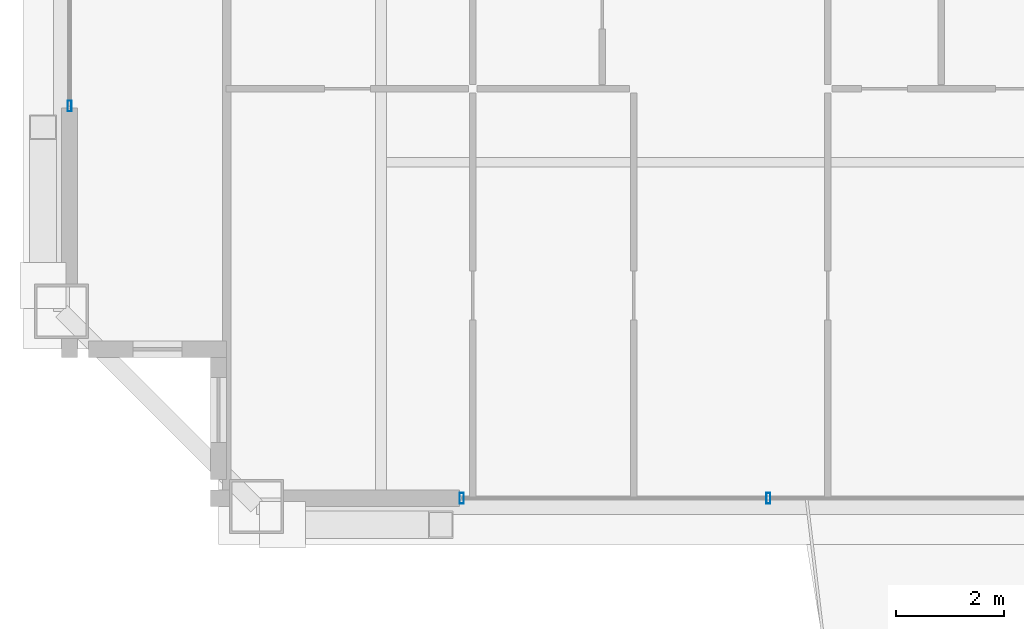
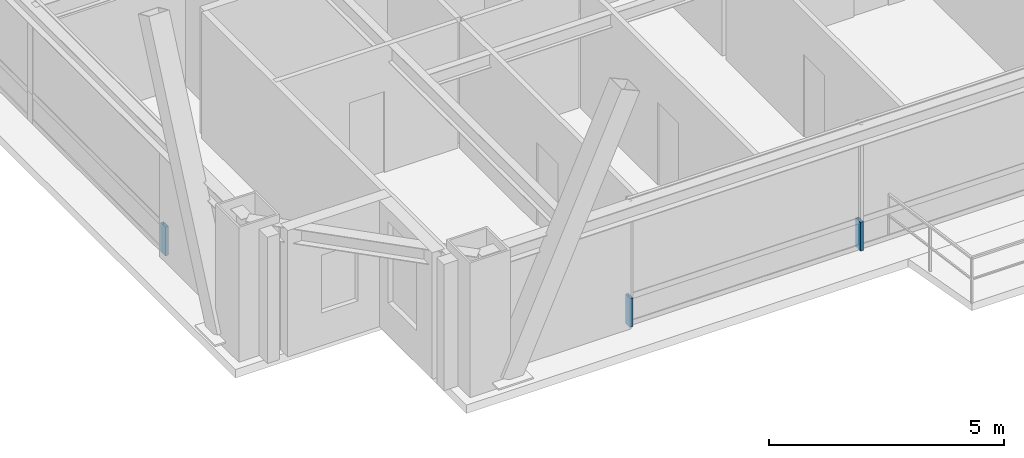
# One storey, part 20 of 34: 3 members, 2 elements without a shape of their own.
"""IFC4 building model written with IfcOpenShell, lengths in metres."""

from ifc_helpers import new_model, si_unit, direction, frame, origin, origin_2d, place, context, subcontext, project, spatial, hollow_rectangle, extrude, source, transform, mapped, material, layer, layer_set, material_profile, profile_set, type_object, element, aggregate, save


model = new_model("IFC4")

# Units and contexts
model_context = context("Model", 3, precision=1e-05, world=origin(), true_north=direction((0.0, 1.0)))
body_context = subcontext(model_context, "Body", "Model", "MODEL_VIEW")
ifc_project = project(units=[si_unit("LENGTHUNIT", "METRE"), si_unit("AREAUNIT", "SQUARE_METRE"), si_unit("VOLUMEUNIT", "CUBIC_METRE"), si_unit("PLANEANGLEUNIT", "RADIAN"), si_unit("MASSUNIT", "GRAM", prefix="KILO"), si_unit("THERMODYNAMICTEMPERATUREUNIT", "KELVIN"), si_unit("POWERUNIT", "WATT")], contexts=[model_context])

# Site, building, storey
site_placement = place(None, origin())
site = spatial("IfcSite", under=ifc_project, at=site_placement, CompositionType="ELEMENT")
building_placement = place(site_placement, origin())
building = spatial("IfcBuilding", under=site, at=building_placement, Name="Yuzanri Waterfront Tower", CompositionType="ELEMENT")
storey_placement = place(building_placement, frame((0.0, 0.0, 328.699951171875)))
storey = spatial("IfcBuildingStorey", under=building, at=storey_placement, Name="L88", CompositionType="ELEMENT", Elevation=328.699951171875)

# Curtain wall, members
ifc_material_1 = material(Name="Anodized Architectural Bronze", Category="metal")
ifc_layer = layer(ifc_material_1, 0.159912109375)
ifc_layer_set = layer_set([ifc_layer], Name="Anodized Architectural Bronze")
curtain_wall_type = type_object("IfcCurtainWallType", Name="Anodized Bronze High-Rise Penthouse High-Wind Unitized Curtain Wall 6900", PredefinedType="NOTDEFINED", material=ifc_layer_set)
curtain_wall_1_placement = place(storey_placement, origin())
curtain_wall_1 = element("IfcCurtainWall", 1, at=curtain_wall_1_placement, inside=storey, type_object=curtain_wall_type, Name="L88 Curtain Wall CW-L88-SL", PredefinedType="NOTDEFINED")
ifc_material_2 = material(Name="Anodized Architectural Bronze", Category="metal")
ifc_material_profile = material_profile(ifc_material_2, hollow_rectangle(XDim=0.074951171875, YDim=0.199951171875, WallThickness=0.00390625, at=origin_2d()), Name="CWM 75x200")
ifc_profile_set = profile_set([ifc_material_profile], Name="Anodized Architectural Bronze")
member_type = type_object("IfcMemberType", Name="Anodized Bronze Primary Curtain-Wall Mullion 75x200", PredefinedType="MULLION", material=ifc_profile_set)
shared_shape = source(origin(), body_context, "Body", "SweptSolid", [
    extrude(hollow_rectangle(XDim=0.074951171875, YDim=0.199951171875, WallThickness=0.00390625, at=origin_2d()), origin(), (0.0, 0.0, 1.0), 0.751953125),
])
member_1_placement = place(storey_placement, frame((25.2900390625, 6.85009765625, 0.0), z_axis=(0.0, 0.0, 1.0), x_axis=(1.0, 0.0, 0.0)))
member_1 = element("IfcMember", 2, at=member_1_placement, type_object=member_type, Name="CW-L88-SL Lower Mullion 00", PredefinedType="MULLION", context=body_context, shape_type="MappedRepresentation", body=[
    mapped(shared_shape, transform((0.0, 0.0, 0.0), scale=1.0)),
])
member_2_placement = place(storey_placement, frame((30.949951171875, 6.85009765625, 0.0), z_axis=(0.0, 0.0, 1.0), x_axis=(1.0, 0.0, 0.0)))
member_2 = element("IfcMember", 3, at=member_2_placement, type_object=member_type, Name="CW-L88-SL Lower Mullion 01", PredefinedType="MULLION", context=body_context, shape_type="MappedRepresentation", body=[
    mapped(shared_shape, transform((0.0, 0.0, 0.0), scale=1.0)),
])
aggregate(curtain_wall_1, [member_1, member_2])

# Curtain wall, member
curtain_wall_2_placement = place(storey_placement, origin())
curtain_wall_2 = element("IfcCurtainWall", 4, at=curtain_wall_2_placement, inside=storey, type_object=curtain_wall_type, Name="L88 Curtain Wall CW-L88-WL", PredefinedType="NOTDEFINED")
member_3_placement = place(storey_placement, frame((18.050048828125, 14.090087890625, 0.0), z_axis=(0.0, 0.0, 1.0), x_axis=(1.0, 0.0, 0.0)))
member_3 = element("IfcMember", 5, at=member_3_placement, type_object=member_type, Name="CW-L88-WL Lower Mullion 00", PredefinedType="MULLION", context=body_context, shape_type="MappedRepresentation", body=[
    mapped(shared_shape, transform((0.0, 0.0, 0.0), scale=1.0)),
])
aggregate(curtain_wall_2, [member_3])

save(model, "model.ifc")
